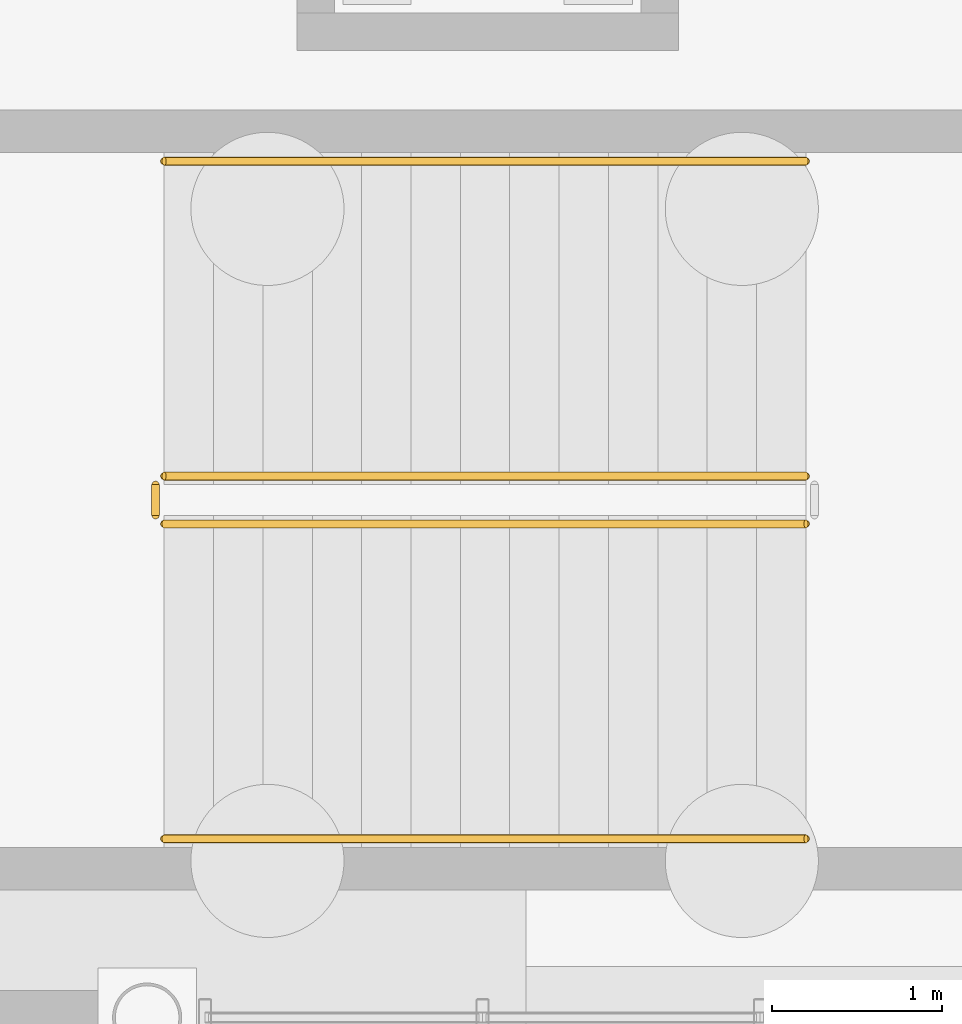
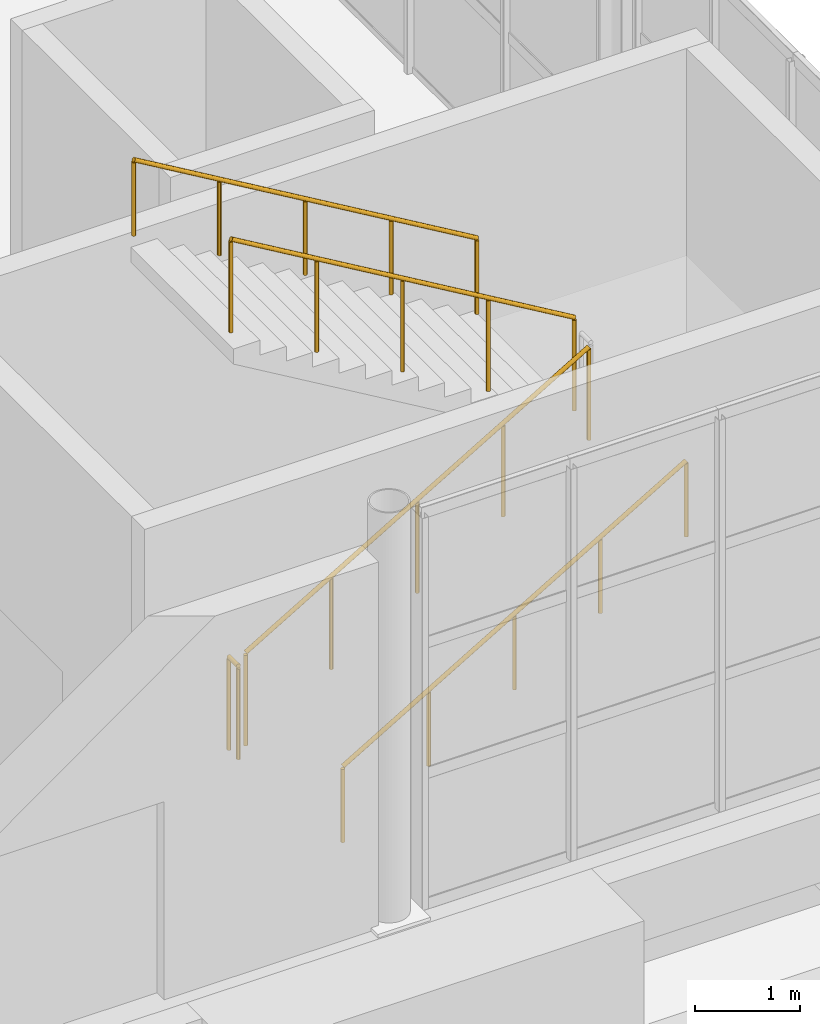
# One storey, part 92 of 101: 5 railings.
"""IFC4 building model written with IfcOpenShell, lengths in metres."""

from ifc_helpers import new_model, si_unit, derived_unit, direction, frame, origin, origin_2d, place, context, subcontext, project, spatial, circle, extrude, material, type_object, element, save


model = new_model("IFC4")

# Units and contexts
model_context = context("Model", 3, precision=1e-05, world=origin(), true_north=direction((0.0, 1.0)))
body_context = subcontext(model_context, "Body", "Model", "MODEL_VIEW")
ifc_project = project(units=[si_unit("LENGTHUNIT", "METRE"), si_unit("AREAUNIT", "SQUARE_METRE"), si_unit("VOLUMEUNIT", "CUBIC_METRE"), si_unit("PLANEANGLEUNIT", "RADIAN"), si_unit("MASSUNIT", "GRAM", prefix="KILO"), derived_unit("THERMALTRANSMITTANCEUNIT", [(si_unit("POWERUNIT", "WATT"), 1), (si_unit("LENGTHUNIT", "METRE"), -2), (si_unit("THERMODYNAMICTEMPERATUREUNIT", "KELVIN"), -1)])], contexts=[model_context])

# Site, building, storey
site_placement = place(None, origin())
site = spatial("IfcSite", under=ifc_project, at=site_placement, CompositionType="ELEMENT")
building_placement = place(site_placement, origin())
building = spatial("IfcBuilding", under=site, at=building_placement, Name="Keldorne Ridge Multi-Sports Centre", CompositionType="ELEMENT")
storey_placement = place(building_placement, origin())
storey = spatial("IfcBuildingStorey", under=building, at=storey_placement, Name="L00", CompositionType="ELEMENT", Elevation=0.0)

# Railings
ifc_material_1 = material(Name="Laminated glass and stainless steel", Category="steel")
railing_type_1 = type_object("IfcRailingType", Name="RLG-BL-01", PredefinedType="BALUSTRADE", material=ifc_material_1)
railing_1_placement = place(storey_placement, frame((34.89990234375, 76.89990234375, 0.17138671875)))
element("IfcRailing", 1, at=railing_1_placement, inside=storey, type_object=railing_type_1, Name="L00 ST-06 stair guard 1", PredefinedType="BALUSTRADE", context=body_context, shape_type="SweptSolid", body=[
    extrude(circle(Radius=0.02392578125, at=origin_2d()), frame((0.0, 0.0, 1.076171875), z_axis=(0.860848830602, 0.0, 0.508860777473), x_axis=(0.0, 1.0, 0.0)), (0.0, 0.0, 1.0), 4.37939453125),
    extrude(circle(Radius=0.02099609375, at=origin_2d()), origin(), (0.0, 0.0, 1.0), 1.052001953125),
    extrude(circle(Radius=0.02099609375, at=origin_2d()), frame((0.9423828125, 0.0, 0.55712890625)), (0.0, 0.0, 1.0), 1.052001953125),
    extrude(circle(Radius=0.02099609375, at=origin_2d()), frame((1.885009765625, 0.0, 1.1142578125)), (0.0, 0.0, 1.0), 1.052001953125),
    extrude(circle(Radius=0.02099609375, at=origin_2d()), frame((2.82763671875, 0.0, 1.67138671875)), (0.0, 0.0, 1.0), 1.052001953125),
    extrude(circle(Radius=0.02099609375, at=origin_2d()), frame((3.77001953125, 0.0, 2.228515625)), (0.0, 0.0, 1.0), 1.052001953125),
])
railing_2_placement = place(storey_placement, frame((38.669921875, 77.179931640625, 2.571533203125)))
element("IfcRailing", 2, at=railing_2_placement, inside=storey, type_object=railing_type_1, Name="L00 ST-06 stair guard 3", PredefinedType="BALUSTRADE", context=body_context, shape_type="SweptSolid", body=[
    extrude(circle(Radius=0.02392578125, at=origin_2d()), frame((0.0, 0.0, 1.076171875), z_axis=(-0.860848830602, 0.0, 0.508860777473), x_axis=(0.0, -1.0, 0.0)), (0.0, 0.0, 1.0), 4.37939453125),
    extrude(circle(Radius=0.02099609375, at=origin_2d()), origin(), (0.0, 0.0, 1.0), 1.052001953125),
    extrude(circle(Radius=0.02099609375, at=origin_2d()), frame((-0.9423828125, 0.0, 0.55712890625)), (0.0, 0.0, 1.0), 1.052001953125),
    extrude(circle(Radius=0.02099609375, at=origin_2d()), frame((-1.885009765625, 0.0, 1.1142578125)), (0.0, 0.0, 1.0), 1.052001953125),
    extrude(circle(Radius=0.02099609375, at=origin_2d()), frame((-2.82763671875, 0.0, 1.67138671875)), (0.0, 0.0, 1.0), 1.052001953125),
    extrude(circle(Radius=0.02099609375, at=origin_2d()), frame((-3.77001953125, 0.0, 2.228515625)), (0.0, 0.0, 1.0), 1.052001953125),
])
railing_3_placement = place(storey_placement, frame((34.85009765625, 76.949951171875, 0.0)))
element("IfcRailing", 3, at=railing_3_placement, inside=storey, type_object=railing_type_1, Name="L00 ST-06 stair guard 4", PredefinedType="BALUSTRADE", context=body_context, shape_type="SweptSolid", body=[
    extrude(circle(Radius=0.02392578125, at=origin_2d()), frame((0.0, 0.0, 1.076171875), z_axis=(0.0, 1.0, 0.0), x_axis=(-1.0, 0.0, 0.0)), (0.0, 0.0, 1.0), 0.179931640625),
    extrude(circle(Radius=0.02099609375, at=origin_2d()), origin(), (0.0, 0.0, 1.0), 1.052001953125),
    extrude(circle(Radius=0.02099609375, at=origin_2d()), frame((0.0, 0.179931640625, 0.0)), (0.0, 0.0, 1.0), 1.052001953125),
])
ifc_material_2 = material(Name="Stainless steel", Category="steel")
railing_type_2 = type_object("IfcRailingType", Name="RLG-HR-01", PredefinedType="HANDRAIL", material=ifc_material_2)
railing_4_placement = place(storey_placement, frame((34.89990234375, 75.050048828125, 0.17138671875)))
element("IfcRailing", 4, at=railing_4_placement, inside=storey, type_object=railing_type_2, Name="L00 ST-06 stair handrail 1", PredefinedType="HANDRAIL", context=body_context, shape_type="SweptSolid", body=[
    extrude(circle(Radius=0.02392578125, at=origin_2d()), frame((0.0, 0.0, 0.8759765625), z_axis=(0.860848830602, 0.0, 0.508860777473), x_axis=(0.0, 1.0, 0.0)), (0.0, 0.0, 1.0), 4.37939453125),
    extrude(circle(Radius=0.02099609375, at=origin_2d()), origin(), (0.0, 0.0, 1.0), 0.851806640625),
    extrude(circle(Radius=0.02099609375, at=origin_2d()), frame((0.9423828125, 0.0, 0.55712890625)), (0.0, 0.0, 1.0), 0.851806640625),
    extrude(circle(Radius=0.02099609375, at=origin_2d()), frame((1.885009765625, 0.0, 1.1142578125)), (0.0, 0.0, 1.0), 0.851806640625),
    extrude(circle(Radius=0.02099609375, at=origin_2d()), frame((2.82763671875, 0.0, 1.67138671875)), (0.0, 0.0, 1.0), 0.851806640625),
    extrude(circle(Radius=0.02099609375, at=origin_2d()), frame((3.77001953125, 0.0, 2.228515625)), (0.0, 0.0, 1.0), 0.851806640625),
])
railing_5_placement = place(storey_placement, frame((38.669921875, 79.030029296875, 2.571533203125)))
element("IfcRailing", 5, at=railing_5_placement, inside=storey, type_object=railing_type_2, Name="L00 ST-06 stair handrail 2", PredefinedType="HANDRAIL", context=body_context, shape_type="SweptSolid", body=[
    extrude(circle(Radius=0.02392578125, at=origin_2d()), frame((0.0, 0.0, 0.8759765625), z_axis=(-0.860848830602, 0.0, 0.508860777473), x_axis=(0.0, -1.0, 0.0)), (0.0, 0.0, 1.0), 4.37939453125),
    extrude(circle(Radius=0.02099609375, at=origin_2d()), origin(), (0.0, 0.0, 1.0), 0.851806640625),
    extrude(circle(Radius=0.02099609375, at=origin_2d()), frame((-0.9423828125, 0.0, 0.55712890625)), (0.0, 0.0, 1.0), 0.851806640625),
    extrude(circle(Radius=0.02099609375, at=origin_2d()), frame((-1.885009765625, 0.0, 1.1142578125)), (0.0, 0.0, 1.0), 0.851806640625),
    extrude(circle(Radius=0.02099609375, at=origin_2d()), frame((-2.82763671875, 0.0, 1.67138671875)), (0.0, 0.0, 1.0), 0.851806640625),
    extrude(circle(Radius=0.02099609375, at=origin_2d()), frame((-3.77001953125, 0.0, 2.228515625)), (0.0, 0.0, 1.0), 0.851806640625),
])

save(model, "model.ifc")
